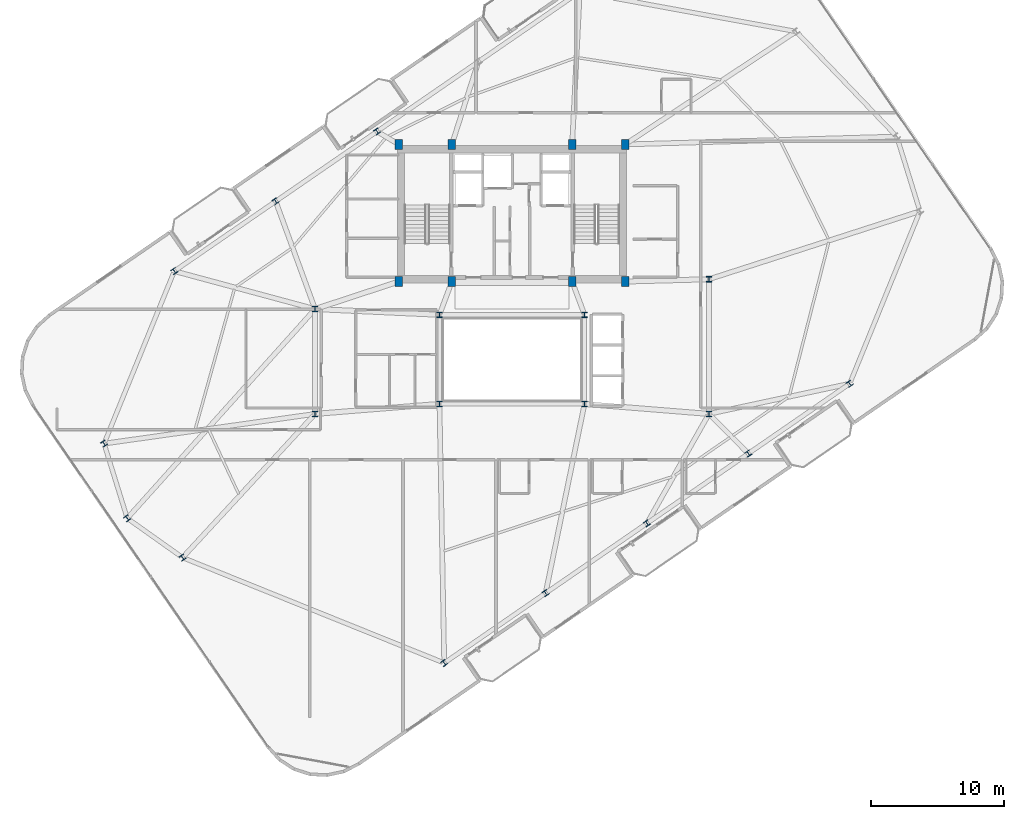
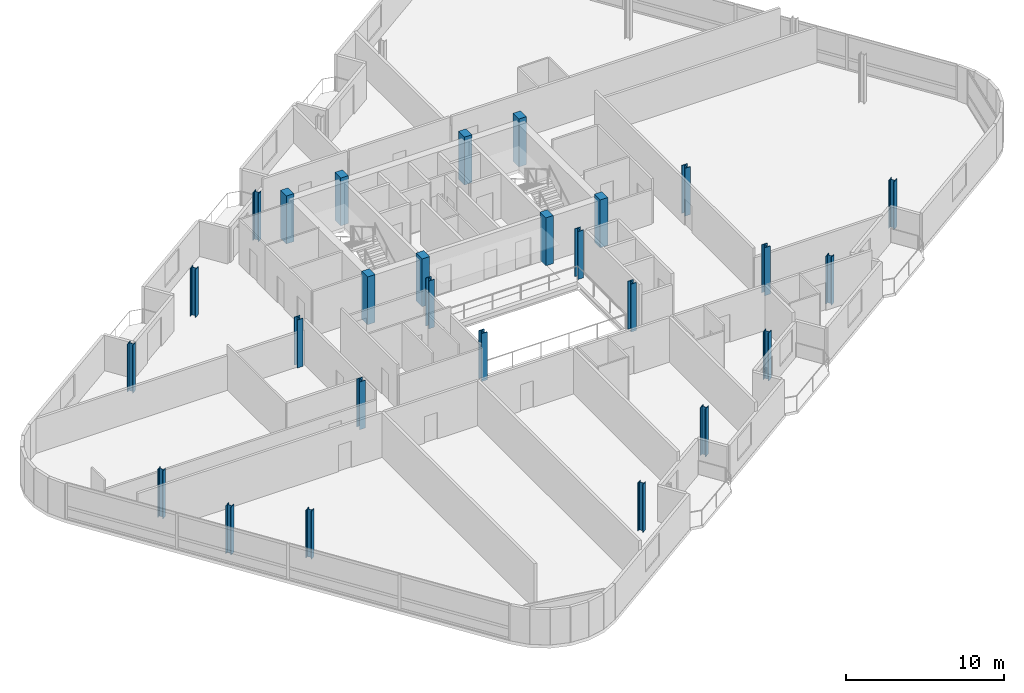
# One storey, part 1 of 23: 27 columns.
"""IFC4 building model written with IfcOpenShell, lengths in metres."""

import ifcopenshell
import ifcopenshell.guid

model = None  # the IFC model being written
_history = None  # IfcOwnerHistory: only IFC2X3 demands one
_inside = {}  # id of a spatial element -> (the spatial element, [elements in it])
_under = {}  # id of a project, library or spatial element -> (it, [spatial elements below it])
_declared = {}  # id of a project -> (the project, [libraries it declares])
_typed = {}  # id of a type object -> (the type object, [elements of that type])
_made_of = {}  # id of a material, layer set ... -> (it, [elements and type objects made of it])


def new_model(schema):
    """Start an empty IFC model of exactly this schema.

    Asked for "IFC4X3", IfcOpenShell would pick the latest addendum, in which some entities
    have other attributes; the version numbers below select the first issue.
    IFC2X3 requires an IfcOwnerHistory on every rooted entity: one is made here for all.
    """
    global model, _history
    if schema == "IFC4X3":
        model = ifcopenshell.file(schema_version=(4, 3, 0, 0))
    else:
        model = ifcopenshell.file(schema=schema)
    _inside.clear()
    _under.clear()
    _declared.clear()
    _typed.clear()
    _made_of.clear()
    _history = None
    if model.schema == "IFC2X3":
        org = make("IfcOrganization", Name="unknown")
        user = make(
            "IfcPersonAndOrganization",
            ThePerson=make("IfcPerson", FamilyName="unknown"),
            TheOrganization=org,
        )
        app = make(
            "IfcApplication",
            ApplicationDeveloper=org,
            Version="unknown",
            ApplicationFullName="unknown",
            ApplicationIdentifier="unknown",
        )
        _history = make(
            "IfcOwnerHistory",
            OwningUser=user,
            OwningApplication=app,
            ChangeAction="ADDED",
            CreationDate=0,
        )
    return model


def make(cls, **values):
    """One entity of the class cls with the attributes given. An attribute that is None is left unset."""
    return model.create_entity(
        cls, **{name: value for name, value in values.items() if value is not None}
    )


def rooted(cls, **values):
    """An entity with a GlobalId (a new one), such as an element, a storey or a relation."""
    return make(cls, GlobalId=ifcopenshell.guid.new(), OwnerHistory=_history, **values)


def si_unit(unit_type, name, prefix=None):
    """IfcSIUnit, for example si_unit("LENGTHUNIT", "METRE", prefix="MILLI")."""
    return make("IfcSIUnit", UnitType=unit_type, Prefix=prefix, Name=name)


def assignment(units):
    """IfcUnitAssignment: the units of a project."""
    return None if units is None else make("IfcUnitAssignment", Units=units)


def point(xyz):
    """IfcCartesianPoint."""
    return None if xyz is None else make("IfcCartesianPoint", Coordinates=xyz)


def direction(xyz):
    """IfcDirection."""
    return None if xyz is None else make("IfcDirection", DirectionRatios=xyz)


def frame(location, z_axis=None, x_axis=None):
    """IfcAxis2Placement3D, a coordinate frame: its origin and axes. An axis left out is left unset."""
    return make(
        "IfcAxis2Placement3D",
        Location=point(location),
        Axis=direction(z_axis),
        RefDirection=direction(x_axis),
    )


def frame_2d(location, x_axis=None):
    """IfcAxis2Placement2D, a coordinate frame in the plane: its origin and x axis."""
    return make(
        "IfcAxis2Placement2D", Location=point(location), RefDirection=direction(x_axis)
    )


def origin():
    """The frame at (0, 0, 0) with its axes left unset."""
    return frame((0.0, 0.0, 0.0))


def origin_2d():
    """The frame at (0, 0) in the plane with its x axis left unset."""
    return frame_2d((0.0, 0.0))


def place(relative_to, where):
    """IfcLocalPlacement: puts the frame where relative to a parent placement (None: the world)."""
    return make(
        "IfcLocalPlacement", PlacementRelTo=relative_to, RelativePlacement=where
    )


def context(
    kind, dimensions, precision=None, world=None, true_north=None, identifier=None
):
    """IfcGeometricRepresentationContext, for example the 3D "Model" context."""
    return make(
        "IfcGeometricRepresentationContext",
        ContextIdentifier=identifier,
        ContextType=kind,
        CoordinateSpaceDimension=dimensions,
        Precision=precision,
        WorldCoordinateSystem=world,
        TrueNorth=true_north,
    )


def subcontext(parent, identifier, kind, view, scale=None):
    """IfcGeometricRepresentationSubContext, for example "Body" below "Model"."""
    return make(
        "IfcGeometricRepresentationSubContext",
        ContextIdentifier=identifier,
        ContextType=kind,
        ParentContext=parent,
        TargetScale=scale,
        TargetView=view,
    )


def project(units=None, contexts=None):
    """IfcProject with its units and contexts."""
    return rooted(
        "IfcProject",
        Name="project",
        RepresentationContexts=contexts,
        UnitsInContext=assignment(units),
    )


def spatial(cls, under=None, at=None, **own):
    """A site, building, storey or space (cls), placed at a placement, below another one or the project."""
    s = rooted(cls, ObjectPlacement=at, **own)
    if under is not None:
        _under.setdefault(under.id(), (under, []))[1].append(s)
    return s


def profile(cls, at=None, kind="AREA", **sizes):
    """A parametric profile (cls). Its sizes go by their IFC names, for example OverallWidth=200.0."""
    return make(cls, ProfileType=kind, Position=at, **sizes)


def rectangle(**sizes):
    """IfcRectangleProfileDef."""
    return profile("IfcRectangleProfileDef", **sizes)


def i_section(**sizes):
    """IfcIShapeProfileDef."""
    return profile("IfcIShapeProfileDef", **sizes)


def extrude(swept, where, along, depth):
    """IfcExtrudedAreaSolid: the profile swept, set in the frame where, extruded along a direction by depth."""
    return make(
        "IfcExtrudedAreaSolid",
        SweptArea=swept,
        Position=where,
        ExtrudedDirection=direction(along),
        Depth=depth,
    )


def shape(context_of_items, identifier, shape_type, items):
    """IfcShapeRepresentation: the items that make up one representation, for example the "Body"."""
    return make(
        "IfcShapeRepresentation",
        ContextOfItems=context_of_items,
        RepresentationIdentifier=identifier,
        RepresentationType=shape_type,
        Items=items,
    )


def material(Name=None, Category=None):
    """IfcMaterial."""
    return make("IfcMaterial", Name=Name, Category=Category)


def material_profile(
    of_material, cross_section, Name=None, Category=None, Priority=None
):
    """IfcMaterialProfile: a cross section and its material."""
    return make(
        "IfcMaterialProfile",
        Name=Name,
        Material=of_material,
        Profile=cross_section,
        Priority=Priority,
        Category=Category,
    )


def profile_set(profiles, Name=None, composite=None):
    """IfcMaterialProfileSet."""
    return make(
        "IfcMaterialProfileSet",
        Name=Name,
        MaterialProfiles=profiles,
        CompositeProfile=composite,
    )


def made_of(thing, what):
    """Note that an element or type object is made of a material, layer set ...; save() writes the relation."""
    if what is not None:
        _made_of.setdefault(what.id(), (what, []))[1].append(thing)
    return thing


def type_object(cls, material=None, **own):
    """A type object (cls), such as IfcWallType, which elements share."""
    return made_of(rooted(cls, **own), material)


def element(
    cls,
    number,
    at=None,
    inside=None,
    cuts=None,
    type_object=None,
    material=None,
    context=None,
    identifier="Body",
    shape_type=None,
    held_by="IfcProductDefinitionShape",
    body=None,
    shapes=None,
    **own,
):
    """One element of the class cls, such as IfcWall. Its Tag is "e" and its number.

    at: its placement. inside: the storey or other place that contains it. cuts: it is an
    opening in that element (IfcRelVoidsElement). A single representation is given by context,
    identifier, shape_type and body (its items); several are given by shapes. held_by: the class
    of the entity that holds the representations. save() writes the other relations.
    """
    e = rooted(cls, Tag="e%d" % number, ObjectPlacement=at, **own)
    if body is not None:
        shapes = [shape(context, identifier, shape_type, body)]
    if shapes is not None:
        e.Representation = make(held_by, Representations=shapes)
    if inside is not None:
        _inside.setdefault(inside.id(), (inside, []))[1].append(e)
    if cuts is not None:
        rooted(
            "IfcRelVoidsElement", RelatingBuildingElement=cuts, RelatedOpeningElement=e
        )
    if type_object is not None:
        _typed.setdefault(type_object.id(), (type_object, []))[1].append(e)
    return made_of(e, material)


def aggregate(whole, parts):
    """IfcRelAggregates: a whole, such as a stair, and the parts it consists of."""
    return rooted("IfcRelAggregates", RelatingObject=whole, RelatedObjects=parts)


def save(model, path):
    """Write the relations noted so far, then the file.

    IfcRelAggregates (storeys below a building ...), IfcRelContainedInSpatialStructure (elements
    in a storey), IfcRelDefinesByType, IfcRelAssociatesMaterial and IfcRelDeclares: one each for
    every whole, place, type object, material and project.
    """
    for whole, parts in _under.values():
        aggregate(whole, parts)
    for where, things in _inside.values():
        rooted(
            "IfcRelContainedInSpatialStructure",
            RelatedElements=things,
            RelatingStructure=where,
        )
    for kind, things in _typed.values():
        rooted("IfcRelDefinesByType", RelatedObjects=things, RelatingType=kind)
    for what, things in _made_of.values():
        rooted("IfcRelAssociatesMaterial", RelatedObjects=things, RelatingMaterial=what)
    for by, libraries in _declared.values():
        rooted("IfcRelDeclares", RelatingContext=by, RelatedDefinitions=libraries)
    model.write(path)


model = new_model("IFC4")

# Units and contexts
model_context = context("Model", 3, precision=1e-05, world=origin(), true_north=direction((0.0, 1.0)))
body_context = subcontext(model_context, "Body", "Model", "MODEL_VIEW")
ifc_project = project(units=[si_unit("LENGTHUNIT", "METRE"), si_unit("AREAUNIT", "SQUARE_METRE"), si_unit("VOLUMEUNIT", "CUBIC_METRE"), si_unit("PLANEANGLEUNIT", "RADIAN"), si_unit("MASSUNIT", "GRAM", prefix="KILO")], contexts=[model_context])

# Site, building, storey
site_placement = place(None, origin())
site = spatial("IfcSite", under=ifc_project, at=site_placement, CompositionType="ELEMENT")
building_placement = place(site_placement, origin())
building = spatial("IfcBuilding", under=site, at=building_placement, Name="Varnelok Gate Tower", CompositionType="ELEMENT")
storey_placement = place(building_placement, frame((0.0, 0.0, 258.199951171875)))
storey = spatial("IfcBuildingStorey", under=building, at=storey_placement, Name="L66", CompositionType="ELEMENT", Elevation=258.199951171875)

# Columns
ifc_material_1 = material(Name="Concrete C50/60", Category="concrete")
ifc_material_profile_1 = material_profile(ifc_material_1, rectangle(XDim=0.550048828125, YDim=0.75, at=origin_2d()), Name="RC750X550")
ifc_profile_set_1 = profile_set([ifc_material_profile_1], Name="Concrete C50/60")
column_type_1 = type_object("IfcColumnType", Name="COL-RC750X550", PredefinedType="COLUMN", material=ifc_profile_set_1)
for number, where, z_axis, x_axis, name in (
    (1, (30.699951171875, 28.75, 0.0), (0.0, 0.0, 1.0), (1.0, 0.0, 0.0), "L66 Core Spine Column SC1"),
    (2, (34.679931640625, 28.75, 0.0), (0.0, 0.0, 1.0), (1.0, 0.0, 0.0), "L66 Core Spine Column SC2"),
    (3, (43.719970703125, 28.75, 0.0), (0.0, 0.0, 1.0), (1.0, 0.0, 0.0), "L66 Core Spine Column SC3"),
    (4, (47.699951171875, 28.75, 0.0), (0.0, 0.0, 1.0), (1.0, 0.0, 0.0), "L66 Core Spine Column SC4"),
    (5, (30.699951171875, 39.050048828125, 0.0), (0.0, 0.0, 1.0), (1.0, 0.0, 0.0), "L66 Core Spine Column SC5"),
    (6, (34.679931640625, 39.050048828125, 0.0), (0.0, 0.0, 1.0), (1.0, 0.0, 0.0), "L66 Core Spine Column SC6"),
    (7, (43.719970703125, 39.050048828125, 0.0), (0.0, 0.0, 1.0), (1.0, 0.0, 0.0), "L66 Core Spine Column SC7"),
    (8, (47.699951171875, 39.050048828125, 0.0), (0.0, 0.0, 1.0), (1.0, 0.0, 0.0), "L66 Core Spine Column SC8"),
):
    element("IfcColumn", number, at=place(storey_placement, frame(where, z_axis=z_axis, x_axis=x_axis)), inside=storey, type_object=column_type_1, Name=name, PredefinedType="COLUMN", context=body_context, shape_type="SweptSolid", body=[
        extrude(rectangle(XDim=0.550048828125, YDim=0.75, at=origin_2d()), origin(), (0.0, 0.0, 1.0), 3.699951171875),
    ])
ifc_material_2 = material(Name="Structural Steel ASTM A992 Grade 50", Category="steel")
ifc_material_profile_2 = material_profile(ifc_material_2, i_section(OverallWidth=0.40087890625, OverallDepth=0.39892578125, WebThickness=0.02490234375, FlangeThickness=0.03955078125, FilletRadius=0.02197265625, at=origin_2d()), Name="W14X211")
ifc_profile_set_2 = profile_set([ifc_material_profile_2], Name="Structural Steel ASTM A992 Grade 50")
column_type_2 = type_object("IfcColumnType", Name="COL-W14X211", PredefinedType="COLUMN", material=ifc_profile_set_2)
for number, where, z_axis, x_axis, name in (
    (9, (34.107421875, 0.080810546875, 0.0), (0.0, 0.0, 1.0), (0.823532597628, 0.567268949127, 0.0), "L66 B6 Perimeter Column PC01"),
    (10, (41.72509765625, 5.327880859375, 0.0), (0.0, 0.0, 1.0), (0.823532597628, 0.567268949127, 0.0), "L66 B6 Perimeter Column PC02"),
    (11, (49.3427734375, 10.5751953125, 0.0), (0.0, 0.0, 1.0), (0.823532597628, 0.567268949127, 0.0), "L66 B6 Perimeter Column PC03"),
    (12, (56.96044921875, 15.822509765625, 0.0), (0.0, 0.0, 1.0), (0.823532597628, 0.567268949127, 0.0), "L66 B6 Perimeter Column PC04"),
    (13, (64.578125, 21.069580078125, 0.0), (0.0, 0.0, 1.0), (0.823532597628, 0.567268949127, 0.0), "L66 B6 Perimeter Column PC05"),
    (14, (29.05712890625, 40.02490234375, 0.0), (0.0, 0.0, 1.0), (0.823532597628, 0.567268949127, 0.0), "L66 B6 Perimeter Column PC11"),
    (15, (21.439697265625, 34.777587890625, 0.0), (0.0, 0.0, 1.0), (0.823532597628, 0.567268949127, 0.0), "L66 B6 Perimeter Column PC12"),
    (16, (13.822021484375, 29.5302734375, 0.0), (0.0, 0.0, 1.0), (0.823532597628, 0.567268949127, 0.0), "L66 B6 Perimeter Column PC13"),
    (17, (8.543212890625, 16.568603515625, 0.0), (0.0, 0.0, 1.0), (0.823532597628, 0.567268949127, 0.0), "L66 B6 Perimeter Column PC14"),
    (18, (10.284423828125, 10.955810546875, 0.0), (0.0, 0.0, 1.0), (0.823532597628, 0.567268949127, 0.0), "L66 B6 Perimeter Column PC15"),
    (19, (14.44287109375, 8.00390625, 0.0), (0.0, 0.0, 1.0), (0.823532597628, 0.567268949127, 0.0), "L66 B6 Perimeter Column PC16"),
):
    element("IfcColumn", number, at=place(storey_placement, frame(where, z_axis=z_axis, x_axis=x_axis)), inside=storey, type_object=column_type_2, Name=name, PredefinedType="COLUMN", context=body_context, shape_type="SweptSolid", body=[
        extrude(i_section(OverallWidth=0.40087890625, OverallDepth=0.39892578125, WebThickness=0.02490234375, FlangeThickness=0.03955078125, FilletRadius=0.02197265625, at=origin_2d()), origin(), (0.0, 0.0, 1.0), 3.699951171875),
    ])
ifc_material_profile_3 = material_profile(ifc_material_2, i_section(OverallWidth=0.406005859375, OverallDepth=0.416015625, WebThickness=0.02978515625, FlangeThickness=0.048095703125, FilletRadius=0.02490234375, at=origin_2d()), Name="W14X257")
ifc_profile_set_3 = profile_set([ifc_material_profile_3], Name="Structural Steel ASTM A992 Grade 50")
column_type_3 = type_object("IfcColumnType", Name="COL-W14X257", PredefinedType="COLUMN", material=ifc_profile_set_3)
for number, where, z_axis, x_axis, name in (
    (20, (33.75, 19.550048828125, 0.0), (0.0, 0.0, 1.0), (1.0, 0.0, 0.0), "L66 Atrium Spine Column AC1"),
    (21, (44.64990234375, 19.550048828125, 0.0), (0.0, 0.0, 1.0), (1.0, 0.0, 0.0), "L66 Atrium Spine Column AC2"),
    (22, (33.75, 26.25, 0.0), (0.0, 0.0, 1.0), (1.0, 0.0, 0.0), "L66 Atrium Spine Column AC3"),
    (23, (44.64990234375, 26.25, 0.0), (0.0, 0.0, 1.0), (1.0, 0.0, 0.0), "L66 Atrium Spine Column AC4"),
    (24, (24.39990234375, 18.800048828125, 0.0), (0.0, 0.0, 1.0), (1.0, 0.0, 0.0), "L66 Wing Spine Column WS1"),
    (25, (24.39990234375, 26.679931640625, 0.0), (0.0, 0.0, 1.0), (1.0, 0.0, 0.0), "L66 Wing Spine Column WS2"),
    (26, (54.0, 18.800048828125, 0.0), (0.0, 0.0, 1.0), (1.0, 0.0, 0.0), "L66 Wing Spine Column ES1"),
    (27, (54.0, 28.919921875, 0.0), (0.0, 0.0, 1.0), (1.0, 0.0, 0.0), "L66 Wing Spine Column ES2"),
):
    element("IfcColumn", number, at=place(storey_placement, frame(where, z_axis=z_axis, x_axis=x_axis)), inside=storey, type_object=column_type_3, Name=name, PredefinedType="COLUMN", context=body_context, shape_type="SweptSolid", body=[
        extrude(i_section(OverallWidth=0.406005859375, OverallDepth=0.416015625, WebThickness=0.02978515625, FlangeThickness=0.048095703125, FilletRadius=0.02490234375, at=origin_2d()), origin(), (0.0, 0.0, 1.0), 3.699951171875),
    ])

save(model, "model.ifc")
